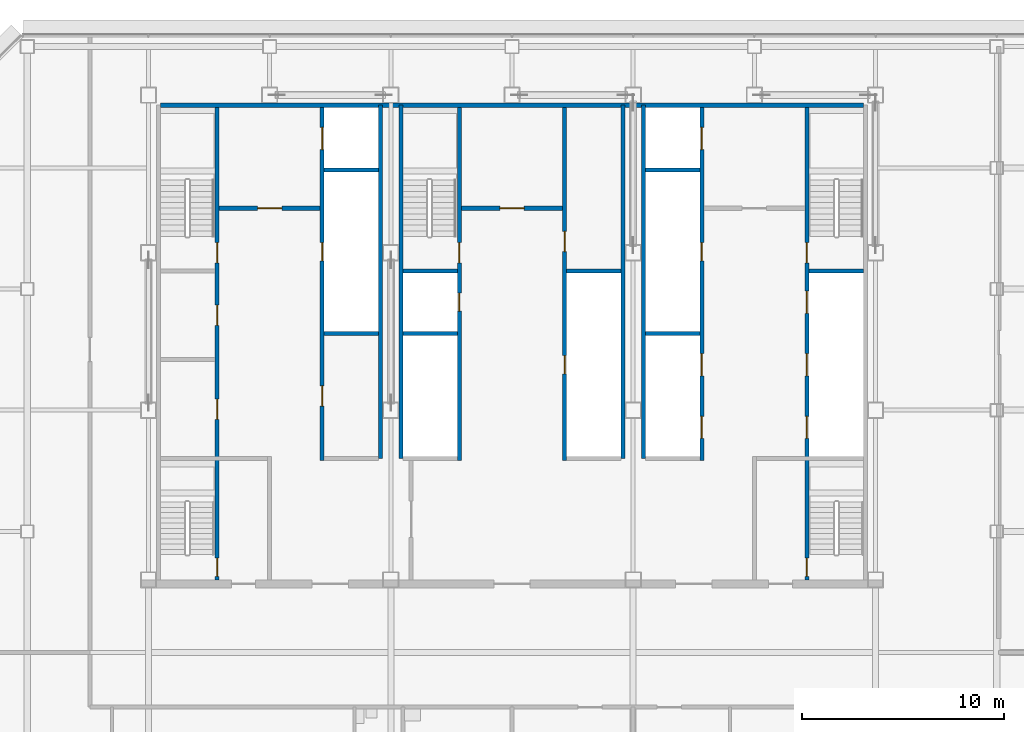
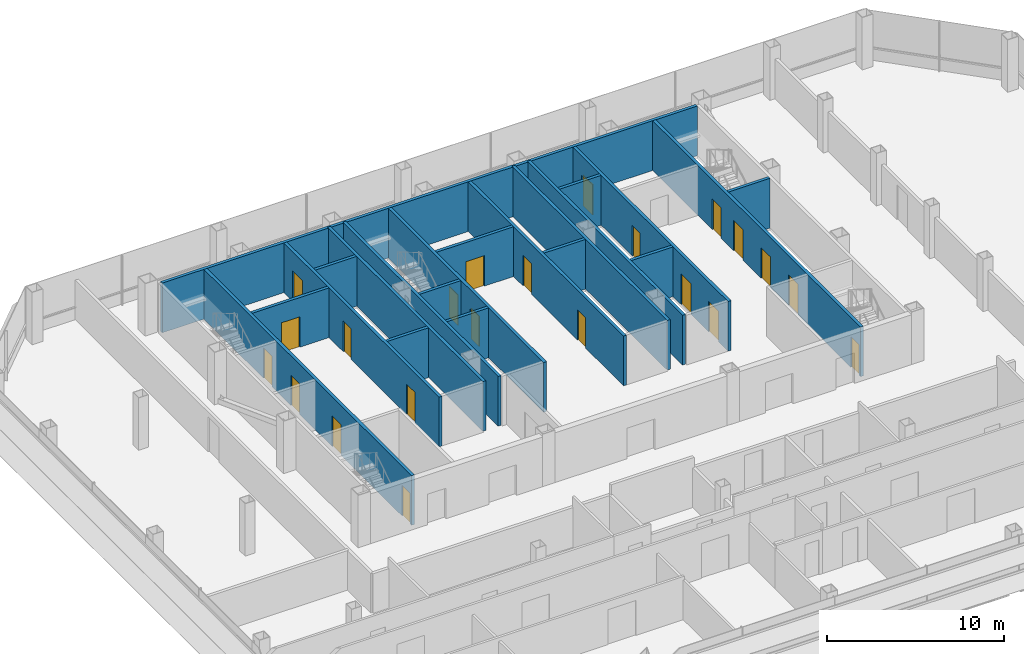
# One storey, part 21 of 24: 22 doors, 21 walls, 22 openings.
"""IFC4 building model written with IfcOpenShell, lengths in metres."""

from ifc_helpers import new_model, si_unit, direction, frame, frame_2d, origin, place, context, subcontext, project, spatial, rectangle, extrude, material, layer, layer_set, type_object, element, fill, save


model = new_model("IFC4")

# Units and contexts
model_context = context("Model", 3, precision=1e-05, world=origin(), true_north=direction((0.0, 1.0)))
body_context = subcontext(model_context, "Body", "Model", "MODEL_VIEW")
ifc_project = project(units=[si_unit("LENGTHUNIT", "METRE"), si_unit("AREAUNIT", "SQUARE_METRE"), si_unit("VOLUMEUNIT", "CUBIC_METRE"), si_unit("PLANEANGLEUNIT", "RADIAN"), si_unit("MASSUNIT", "GRAM", prefix="KILO")], contexts=[model_context])

# Site, building, storey
site_placement = place(None, origin())
site = spatial("IfcSite", under=ifc_project, at=site_placement, CompositionType="ELEMENT")
building_placement = place(site_placement, origin())
building = spatial("IfcBuilding", under=site, at=building_placement, Name="Sorahane Residences", CompositionType="ELEMENT")
storey_placement = place(building_placement, frame((0.0, 0.0, 170.800048828125)))
storey = spatial("IfcBuildingStorey", under=building, at=storey_placement, Name="L39", CompositionType="ELEMENT", Elevation=170.800048828125)

# Walls
ifc_material_1 = material(Name="Concrete C30", Category="concrete")
ifc_layer_1 = layer(ifc_material_1, 0.199951171875)
ifc_layer_set_1 = layer_set([ifc_layer_1], Name="Core face wall 200 EI 180")
wall_type_1 = type_object("IfcWallType", Name="Core face wall 200 EI 180", PredefinedType="SOLIDWALL", material=ifc_layer_set_1)
wall_1_placement = place(storey_placement, frame((6.60009765625, 45.10009765625, 0.0), z_axis=(0.0, 0.0, 1.0), x_axis=(1.0, 0.0, 0.0)))
element("IfcWall", 1, at=wall_1_placement, inside=storey, type_object=wall_type_1, Name="L39 core face wall", PredefinedType="SOLIDWALL", context=body_context, shape_type="SweptSolid", body=[
    extrude(rectangle(XDim=34.7998046875, YDim=0.199951171875, at=frame_2d((17.39990234375, 0.0))), origin(), (0.0, 0.0, 1.0), 3.419921875),
])
for number, where, z_axis, x_axis, name in (
    (2, (17.5, 27.60009765625, 0.0), (0.0, 0.0, 1.0), (0.0, 1.0, 0.0), "L39 core face wall"),
    (3, (18.5, 27.60009765625, 0.0), (0.0, 0.0, 1.0), (0.0, 1.0, 0.0), "L39 core face wall"),
    (4, (29.5, 27.60009765625, 0.0), (0.0, 0.0, 1.0), (0.0, 1.0, 0.0), "L39 core face wall"),
    (5, (30.5, 27.60009765625, 0.0), (0.0, 0.0, 1.0), (0.0, 1.0, 0.0), "L39 core face wall"),
):
    element("IfcWall", number, at=place(storey_placement, frame(where, z_axis=z_axis, x_axis=x_axis)), inside=storey, type_object=wall_type_1, Name=name, PredefinedType="SOLIDWALL", context=body_context, shape_type="SweptSolid", body=[
        extrude(rectangle(XDim=17.5, YDim=0.199951171875, at=frame_2d((8.75, 0.0))), origin(), (0.0, 0.0, 1.0), 3.419921875),
    ])

# Wall, opening, door
ifc_material_2 = material(Name="Concrete C30", Category="concrete")
ifc_layer_2 = layer(ifc_material_2, 0.199951171875)
ifc_layer_set_2 = layer_set([ifc_layer_2], Name="Front room wall 200 EI 120")
wall_type_2 = type_object("IfcWallType", Name="Front room wall 200 EI 120", PredefinedType="PARTITIONING", material=ifc_layer_set_2)
wall_2_placement = place(storey_placement, frame((21.5, 40.0, 0.0), z_axis=(0.0, 0.0, 1.0), x_axis=(1.0, 0.0, 0.0)))
wall_2 = element("IfcWall", 6, at=wall_2_placement, inside=storey, type_object=wall_type_2, Name="L39 front room wall", PredefinedType="PARTITIONING", context=body_context, shape_type="SweptSolid", body=[
    extrude(rectangle(XDim=5.0, YDim=0.199951171875, at=frame_2d((2.5, 0.0))), origin(), (0.0, 0.0, 1.0), 3.419921875),
])
opening_1_placement = place(wall_2_placement, frame((1.89990234375, 0.0, 0.0)))
opening_1 = element("IfcOpeningElement", 7, at=opening_1_placement, cuts=wall_2, Name="Opening L39-C08", PredefinedType="OPENING", context=body_context, shape_type="SweptSolid", body=[
    extrude(rectangle(XDim=1.199951171875, YDim=2.10009765625, at=frame_2d((0.60009765625, 1.050048828125))), frame((0.0, 0.10986328125, 0.0), z_axis=(0.0, -1.0, 0.0), x_axis=(1.0, 0.0, 0.0)), (0.0, 0.0, 1.0), 0.219970703125),
])
ifc_material_3 = material(Name="Steel", Category="steel")
door_type_1 = type_object("IfcDoorType", Name="Front room door 1200x2100 FD120", OperationType="NOTDEFINED", PredefinedType="DOOR", material=ifc_material_3)
door_1_placement = place(opening_1_placement, frame((1.199951171875, 0.0, 0.0), z_axis=(0.0, 0.0, 1.0), x_axis=(-1.0, 0.0, 0.0)))
door_1 = element("IfcDoor", 8, at=door_1_placement, inside=storey, type_object=door_type_1, Name="Front room door Stair S3 vestibule L39", OperationType="DOUBLE_DOOR_SINGLE_SWING", OverallHeight=2.10009765625, OverallWidth=1.199951171875, PredefinedType="DOOR", context=body_context, shape_type="SweptSolid", body=[
    extrude(rectangle(XDim=1.199951171875, YDim=2.10009765625, at=frame_2d((0.60009765625, 1.050048828125))), frame((0.0, 0.02490234375, 0.0), z_axis=(0.0, -1.0, 0.0), x_axis=(1.0, 0.0, 0.0)), (0.0, 0.0, 1.0), 0.050048828125),
])
fill(opening_1, door_1)

wall_3_placement = place(storey_placement, frame((9.5, 40.0, 0.0), z_axis=(0.0, 0.0, 1.0), x_axis=(1.0, 0.0, 0.0)))
wall_3 = element("IfcWall", 9, at=wall_3_placement, inside=storey, type_object=wall_type_2, Name="L39 front room wall", PredefinedType="PARTITIONING", context=body_context, shape_type="SweptSolid", body=[
    extrude(rectangle(XDim=5.0, YDim=0.199951171875, at=frame_2d((2.5, 0.0))), origin(), (0.0, 0.0, 1.0), 3.419921875),
])
opening_2_placement = place(wall_3_placement, frame((1.89990234375, 0.0, 0.0)))
opening_2 = element("IfcOpeningElement", 10, at=opening_2_placement, cuts=wall_3, Name="Opening L39-C07", PredefinedType="OPENING", context=body_context, shape_type="SweptSolid", body=[
    extrude(rectangle(XDim=1.199951171875, YDim=2.10009765625, at=frame_2d((0.60009765625, 1.050048828125))), frame((0.0, 0.10986328125, 0.0), z_axis=(0.0, -1.0, 0.0), x_axis=(1.0, 0.0, 0.0)), (0.0, 0.0, 1.0), 0.219970703125),
])
door_2_placement = place(opening_2_placement, frame((1.199951171875, 0.0, 0.0), z_axis=(0.0, 0.0, 1.0), x_axis=(-1.0, 0.0, 0.0)))
door_2 = element("IfcDoor", 11, at=door_2_placement, inside=storey, type_object=door_type_1, Name="Front room door Firefighting lobby FF1 front room L39", OperationType="DOUBLE_DOOR_SINGLE_SWING", OverallHeight=2.10009765625, OverallWidth=1.199951171875, PredefinedType="DOOR", context=body_context, shape_type="SweptSolid", body=[
    extrude(rectangle(XDim=1.199951171875, YDim=2.10009765625, at=frame_2d((0.60009765625, 1.050048828125))), frame((0.0, 0.02490234375, 0.0), z_axis=(0.0, -1.0, 0.0), x_axis=(1.0, 0.0, 0.0)), (0.0, 0.0, 1.0), 0.050048828125),
])
fill(opening_2, door_2)

# Wall, openings, doors
ifc_material_4 = material(Name="Concrete C30", Category="concrete")
ifc_layer_3 = layer(ifc_material_4, 0.199951171875)
ifc_layer_set_3 = layer_set([ifc_layer_3], Name="Lift shaft wall 200 EI 120")
wall_type_3 = type_object("IfcWallType", Name="Lift shaft wall 200 EI 120", PredefinedType="SOLIDWALL", material=ifc_layer_set_3)
wall_4_placement = place(storey_placement, frame((14.60009765625, 27.5, 0.0), z_axis=(0.0, 0.0, 1.0), x_axis=(0.0, 1.0, 0.0)))
wall_4 = element("IfcWall", 12, at=wall_4_placement, inside=storey, type_object=wall_type_3, Name="L39 lift shaft wall", PredefinedType="SOLIDWALL", context=body_context, shape_type="SweptSolid", body=[
    extrude(rectangle(XDim=17.5, YDim=0.199951171875, at=frame_2d((8.75, 0.0))), origin(), (0.0, 0.0, 1.0), 3.419921875),
])
opening_3_placement = place(wall_4_placement, frame((15.39990234375, 0.0, 0.0)))
opening_3 = element("IfcOpeningElement", 13, at=opening_3_placement, cuts=wall_4, Name="Opening L39-C16", PredefinedType="OPENING", context=body_context, shape_type="SweptSolid", body=[
    extrude(rectangle(XDim=1.10009765625, YDim=2.10009765625, at=frame_2d((0.550048828125, 1.050048828125))), frame((0.0, 0.10986328125, 0.0), z_axis=(0.0, -1.0, 0.0), x_axis=(1.0, 0.0, 0.0)), (0.0, 0.0, 1.0), 0.219970703125),
])
opening_4_placement = place(wall_4_placement, frame((2.699951171875, 0.0, 0.0)))
opening_4 = element("IfcOpeningElement", 14, at=opening_4_placement, cuts=wall_4, Name="Opening L39-C17", PredefinedType="OPENING", context=body_context, shape_type="SweptSolid", body=[
    extrude(rectangle(XDim=1.0, YDim=2.10009765625, at=frame_2d((0.5, 1.050048828125))), frame((0.0, 0.10986328125, 0.0), z_axis=(0.0, -1.0, 0.0), x_axis=(1.0, 0.0, 0.0)), (0.0, 0.0, 1.0), 0.219970703125),
])
opening_5_placement = place(wall_4_placement, frame((9.89990234375, 0.0, 0.0)))
opening_5 = element("IfcOpeningElement", 15, at=opening_5_placement, cuts=wall_4, Name="Opening L39-C25", PredefinedType="OPENING", context=body_context, shape_type="SweptSolid", body=[
    extrude(rectangle(XDim=0.89990234375, YDim=2.10009765625, at=frame_2d((0.449951171875, 1.050048828125))), frame((0.0, 0.10986328125, 0.0), z_axis=(0.0, -1.0, 0.0), x_axis=(1.0, 0.0, 0.0)), (0.0, 0.0, 1.0), 0.219970703125),
])
ifc_material_5 = material(Name="Aluminium and stainless steel", Category="steel")
door_type_2 = type_object("IfcDoorType", Name="Lift landing door 1100x2100 E 60", OperationType="NOTDEFINED", PredefinedType="DOOR", material=ifc_material_5)
door_3_placement = place(opening_3_placement, origin())
door_3 = element("IfcDoor", 16, at=door_3_placement, inside=storey, type_object=door_type_2, Name="Lift landing door FF1 L39", OperationType="DOUBLE_DOOR_SLIDING", OverallHeight=2.10009765625, OverallWidth=1.10009765625, PredefinedType="DOOR", context=body_context, shape_type="SweptSolid", body=[
    extrude(rectangle(XDim=1.10009765625, YDim=2.10009765625, at=frame_2d((0.550048828125, 1.050048828125))), frame((0.0, 0.02490234375, 0.0), z_axis=(0.0, -1.0, 0.0), x_axis=(1.0, 0.0, 0.0)), (0.0, 0.0, 1.0), 0.050048828125),
])
fill(opening_3, door_3)
ifc_material_6 = material(Name="Steel", Category="steel")
door_type_3 = type_object("IfcDoorType", Name="Riser door 900x2100 FD120", OperationType="NOTDEFINED", PredefinedType="DOOR", material=ifc_material_6)
door_4_placement = place(opening_5_placement, origin())
door_4 = element("IfcDoor", 17, at=door_4_placement, inside=storey, type_object=door_type_3, Name="Riser door R1 L39", OperationType="SINGLE_SWING_LEFT", OverallHeight=2.10009765625, OverallWidth=0.89990234375, PredefinedType="DOOR", context=body_context, shape_type="SweptSolid", body=[
    extrude(rectangle(XDim=0.89990234375, YDim=2.10009765625, at=frame_2d((0.449951171875, 1.050048828125))), frame((0.0, 0.02490234375, 0.0), z_axis=(0.0, -1.0, 0.0), x_axis=(1.0, 0.0, 0.0)), (0.0, 0.0, 1.0), 0.050048828125),
])
fill(opening_5, door_4)
ifc_material_7 = material(Name="Steel", Category="steel")
door_type_4 = type_object("IfcDoorType", Name="Service room door 1000x2100 FD60", OperationType="NOTDEFINED", PredefinedType="DOOR", material=ifc_material_7)
door_5_placement = place(opening_4_placement, frame((1.0, 0.0, 0.0), z_axis=(0.0, 0.0, 1.0), x_axis=(-1.0, 0.0, 0.0)))
door_5 = element("IfcDoor", 18, at=door_5_placement, inside=storey, type_object=door_type_4, Name="Service room door Lounge L39", OperationType="SINGLE_SWING_RIGHT", OverallHeight=2.10009765625, OverallWidth=1.0, PredefinedType="DOOR", context=body_context, shape_type="SweptSolid", body=[
    extrude(rectangle(XDim=1.0, YDim=2.10009765625, at=frame_2d((0.5, 1.050048828125))), frame((0.0, 0.02490234375, 0.0), z_axis=(0.0, -1.0, 0.0), x_axis=(1.0, 0.0, 0.0)), (0.0, 0.0, 1.0), 0.050048828125),
])
fill(opening_4, door_5)

wall_5_placement = place(storey_placement, frame((33.39990234375, 27.5, 0.0), z_axis=(0.0, 0.0, 1.0), x_axis=(0.0, 1.0, 0.0)))
wall_5 = element("IfcWall", 19, at=wall_5_placement, inside=storey, type_object=wall_type_3, Name="L39 lift shaft wall", PredefinedType="SOLIDWALL", context=body_context, shape_type="SweptSolid", body=[
    extrude(rectangle(XDim=17.5, YDim=0.199951171875, at=frame_2d((8.75, 0.0))), origin(), (0.0, 0.0, 1.0), 3.419921875),
])
opening_6_placement = place(wall_5_placement, frame((1.10009765625, 0.0, 0.0)))
opening_6 = element("IfcOpeningElement", 20, at=opening_6_placement, cuts=wall_5, Name="Opening L39-C13", PredefinedType="OPENING", context=body_context, shape_type="SweptSolid", body=[
    extrude(rectangle(XDim=1.10009765625, YDim=2.10009765625, at=frame_2d((0.550048828125, 1.050048828125))), frame((0.0, 0.10986328125, 0.0), z_axis=(0.0, -1.0, 0.0), x_axis=(1.0, 0.0, 0.0)), (0.0, 0.0, 1.0), 0.219970703125),
])
opening_7_placement = place(wall_5_placement, frame((4.199951171875, 0.0, 0.0)))
opening_7 = element("IfcOpeningElement", 21, at=opening_7_placement, cuts=wall_5, Name="Opening L39-C14", PredefinedType="OPENING", context=body_context, shape_type="SweptSolid", body=[
    extrude(rectangle(XDim=1.10009765625, YDim=2.10009765625, at=frame_2d((0.550048828125, 1.050048828125))), frame((0.0, 0.10986328125, 0.0), z_axis=(0.0, -1.0, 0.0), x_axis=(1.0, 0.0, 0.0)), (0.0, 0.0, 1.0), 0.219970703125),
])
opening_8_placement = place(wall_5_placement, frame((15.39990234375, 0.0, 0.0)))
opening_8 = element("IfcOpeningElement", 22, at=opening_8_placement, cuts=wall_5, Name="Opening L39-C15", PredefinedType="OPENING", context=body_context, shape_type="SweptSolid", body=[
    extrude(rectangle(XDim=1.10009765625, YDim=2.10009765625, at=frame_2d((0.550048828125, 1.050048828125))), frame((0.0, 0.10986328125, 0.0), z_axis=(0.0, -1.0, 0.0), x_axis=(1.0, 0.0, 0.0)), (0.0, 0.0, 1.0), 0.219970703125),
])
opening_9_placement = place(wall_5_placement, frame((9.89990234375, 0.0, 0.0)))
opening_9 = element("IfcOpeningElement", 23, at=opening_9_placement, cuts=wall_5, Name="Opening L39-C26", PredefinedType="OPENING", context=body_context, shape_type="SweptSolid", body=[
    extrude(rectangle(XDim=0.89990234375, YDim=2.10009765625, at=frame_2d((0.449951171875, 1.050048828125))), frame((0.0, 0.10986328125, 0.0), z_axis=(0.0, -1.0, 0.0), x_axis=(1.0, 0.0, 0.0)), (0.0, 0.0, 1.0), 0.219970703125),
])
door_6_placement = place(opening_6_placement, origin())
door_6 = element("IfcDoor", 24, at=door_6_placement, inside=storey, type_object=door_type_2, Name="Lift landing door HR4 L39", OperationType="DOUBLE_DOOR_SLIDING", OverallHeight=2.10009765625, OverallWidth=1.10009765625, PredefinedType="DOOR", context=body_context, shape_type="SweptSolid", body=[
    extrude(rectangle(XDim=1.10009765625, YDim=2.10009765625, at=frame_2d((0.550048828125, 1.050048828125))), frame((0.0, 0.02490234375, 0.0), z_axis=(0.0, -1.0, 0.0), x_axis=(1.0, 0.0, 0.0)), (0.0, 0.0, 1.0), 0.050048828125),
])
fill(opening_6, door_6)
door_7_placement = place(opening_7_placement, origin())
door_7 = element("IfcDoor", 25, at=door_7_placement, inside=storey, type_object=door_type_2, Name="Lift landing door HR5 L39", OperationType="DOUBLE_DOOR_SLIDING", OverallHeight=2.10009765625, OverallWidth=1.10009765625, PredefinedType="DOOR", context=body_context, shape_type="SweptSolid", body=[
    extrude(rectangle(XDim=1.10009765625, YDim=2.10009765625, at=frame_2d((0.550048828125, 1.050048828125))), frame((0.0, 0.02490234375, 0.0), z_axis=(0.0, -1.0, 0.0), x_axis=(1.0, 0.0, 0.0)), (0.0, 0.0, 1.0), 0.050048828125),
])
fill(opening_7, door_7)
door_8_placement = place(opening_8_placement, origin())
door_8 = element("IfcDoor", 26, at=door_8_placement, inside=storey, type_object=door_type_2, Name="Lift landing door FF2 L39", OperationType="DOUBLE_DOOR_SLIDING", OverallHeight=2.10009765625, OverallWidth=1.10009765625, PredefinedType="DOOR", context=body_context, shape_type="SweptSolid", body=[
    extrude(rectangle(XDim=1.10009765625, YDim=2.10009765625, at=frame_2d((0.550048828125, 1.050048828125))), frame((0.0, 0.02490234375, 0.0), z_axis=(0.0, -1.0, 0.0), x_axis=(1.0, 0.0, 0.0)), (0.0, 0.0, 1.0), 0.050048828125),
])
fill(opening_8, door_8)
door_9_placement = place(opening_9_placement, frame((0.89990234375, 0.0, 0.0), z_axis=(0.0, 0.0, 1.0), x_axis=(-1.0, 0.0, 0.0)))
door_9 = element("IfcDoor", 27, at=door_9_placement, inside=storey, type_object=door_type_3, Name="Riser door R2 L39", OperationType="SINGLE_SWING_LEFT", OverallHeight=2.10009765625, OverallWidth=0.89990234375, PredefinedType="DOOR", context=body_context, shape_type="SweptSolid", body=[
    extrude(rectangle(XDim=0.89990234375, YDim=2.10009765625, at=frame_2d((0.449951171875, 1.050048828125))), frame((0.0, 0.02490234375, 0.0), z_axis=(0.0, -1.0, 0.0), x_axis=(1.0, 0.0, 0.0)), (0.0, 0.0, 1.0), 0.050048828125),
])
fill(opening_9, door_9)

# Walls
for number, where, z_axis, x_axis, name in (
    (28, (18.60009765625, 33.800048828125, 0.0), (0.0, 0.0, 1.0), (1.0, 0.0, 0.0), "L39 lift shaft wall"),
    (29, (30.60009765625, 33.800048828125, 0.0), (0.0, 0.0, 1.0), (1.0, 0.0, 0.0), "L39 lift shaft wall"),
    (30, (14.699951171875, 41.89990234375, 0.0), (0.0, 0.0, 1.0), (1.0, 0.0, 0.0), "L39 lift shaft wall"),
    (31, (30.60009765625, 41.89990234375, 0.0), (0.0, 0.0, 1.0), (1.0, 0.0, 0.0), "L39 lift shaft wall"),
):
    element("IfcWall", number, at=place(storey_placement, frame(where, z_axis=z_axis, x_axis=x_axis)), inside=storey, type_object=wall_type_3, Name=name, PredefinedType="SOLIDWALL", context=body_context, shape_type="SweptSolid", body=[
        extrude(rectangle(XDim=2.699951171875, YDim=0.199951171875, at=frame_2d((1.35009765625, 0.0))), origin(), (0.0, 0.0, 1.0), 3.419921875),
    ])

# Wall, openings, doors
ifc_material_8 = material(Name="Concrete C30", Category="concrete")
ifc_layer_4 = layer(ifc_material_8, 0.199951171875)
ifc_layer_set_4 = layer_set([ifc_layer_4], Name="Riser shaft wall 200 EI 120")
wall_type_4 = type_object("IfcWallType", Name="Riser shaft wall 200 EI 120", PredefinedType="SOLIDWALL", material=ifc_layer_set_4)
wall_6_placement = place(storey_placement, frame((26.60009765625, 27.5, 0.0), z_axis=(0.0, 0.0, 1.0), x_axis=(0.0, 1.0, 0.0)))
wall_6 = element("IfcWall", 32, at=wall_6_placement, inside=storey, type_object=wall_type_4, Name="L39 riser wall", PredefinedType="SOLIDWALL", context=body_context, shape_type="SweptSolid", body=[
    extrude(rectangle(XDim=17.5, YDim=0.199951171875, at=frame_2d((8.75, 0.0))), origin(), (0.0, 0.0, 1.0), 3.419921875),
])
opening_10_placement = place(wall_6_placement, frame((4.300048828125, 0.0, 0.0)))
opening_10 = element("IfcOpeningElement", 33, at=opening_10_placement, cuts=wall_6, Name="Opening L39-C28", PredefinedType="OPENING", context=body_context, shape_type="SweptSolid", body=[
    extrude(rectangle(XDim=0.89990234375, YDim=2.10009765625, at=frame_2d((0.449951171875, 1.050048828125))), frame((0.0, 0.10986328125, 0.0), z_axis=(0.0, -1.0, 0.0), x_axis=(1.0, 0.0, 0.0)), (0.0, 0.0, 1.0), 0.219970703125),
])
opening_11_placement = place(wall_6_placement, frame((10.35009765625, 0.0, 0.0)))
opening_11 = element("IfcOpeningElement", 34, at=opening_11_placement, cuts=wall_6, Name="Opening L39-C29", PredefinedType="OPENING", context=body_context, shape_type="SweptSolid", body=[
    extrude(rectangle(XDim=1.0, YDim=2.10009765625, at=frame_2d((0.5, 1.050048828125))), frame((0.0, 0.10986328125, 0.0), z_axis=(0.0, -1.0, 0.0), x_axis=(1.0, 0.0, 0.0)), (0.0, 0.0, 1.0), 0.219970703125),
])
door_10_placement = place(opening_10_placement, origin())
door_10 = element("IfcDoor", 35, at=door_10_placement, inside=storey, type_object=door_type_3, Name="Riser door R4 L39", OperationType="SINGLE_SWING_LEFT", OverallHeight=2.10009765625, OverallWidth=0.89990234375, PredefinedType="DOOR", context=body_context, shape_type="SweptSolid", body=[
    extrude(rectangle(XDim=0.89990234375, YDim=2.10009765625, at=frame_2d((0.449951171875, 1.050048828125))), frame((0.0, 0.02490234375, 0.0), z_axis=(0.0, -1.0, 0.0), x_axis=(1.0, 0.0, 0.0)), (0.0, 0.0, 1.0), 0.050048828125),
])
fill(opening_10, door_10)
door_11_placement = place(opening_11_placement, frame((1.0, 0.0, 0.0), z_axis=(0.0, 0.0, 1.0), x_axis=(-1.0, 0.0, 0.0)))
door_11 = element("IfcDoor", 36, at=door_11_placement, inside=storey, type_object=door_type_4, Name="Service room door Housekeeping store L39", OperationType="SINGLE_SWING_LEFT", OverallHeight=2.10009765625, OverallWidth=1.0, PredefinedType="DOOR", context=body_context, shape_type="SweptSolid", body=[
    extrude(rectangle(XDim=1.0, YDim=2.10009765625, at=frame_2d((0.5, 1.050048828125))), frame((0.0, 0.02490234375, 0.0), z_axis=(0.0, -1.0, 0.0), x_axis=(1.0, 0.0, 0.0)), (0.0, 0.0, 1.0), 0.050048828125),
])
fill(opening_11, door_11)

# Walls
for number, where, z_axis, x_axis, name in (
    (37, (14.699951171875, 33.800048828125, 0.0), (0.0, 0.0, 1.0), (1.0, 0.0, 0.0), "L39 riser wall"),
    (38, (26.699951171875, 36.89990234375, 0.0), (0.0, 0.0, 1.0), (1.0, 0.0, 0.0), "L39 riser wall"),
):
    element("IfcWall", number, at=place(storey_placement, frame(where, z_axis=z_axis, x_axis=x_axis)), inside=storey, type_object=wall_type_4, Name=name, PredefinedType="SOLIDWALL", context=body_context, shape_type="SweptSolid", body=[
        extrude(rectangle(XDim=2.699951171875, YDim=0.199951171875, at=frame_2d((1.35009765625, 0.0))), origin(), (0.0, 0.0, 1.0), 3.419921875),
    ])

# Wall, openings, doors
ifc_material_9 = material(Name="Concrete C30", Category="concrete")
ifc_layer_5 = layer(ifc_material_9, 0.199951171875)
ifc_layer_set_5 = layer_set([ifc_layer_5], Name="Stair enclosure wall 200 EI 120")
wall_type_5 = type_object("IfcWallType", Name="Stair enclosure wall 200 EI 120", PredefinedType="SOLIDWALL", material=ifc_layer_set_5)
wall_7_placement = place(storey_placement, frame((21.39990234375, 27.5, 0.0), z_axis=(0.0, 0.0, 1.0), x_axis=(0.0, 1.0, 0.0)))
wall_7 = element("IfcWall", 39, at=wall_7_placement, inside=storey, type_object=wall_type_5, Name="L39 stair enclosure wall", PredefinedType="SOLIDWALL", context=body_context, shape_type="SweptSolid", body=[
    extrude(rectangle(XDim=17.5, YDim=0.199951171875, at=frame_2d((8.75, 0.0))), origin(), (0.0, 0.0, 1.0), 3.419921875),
])
opening_12_placement = place(wall_7_placement, frame((9.800048828125, 0.0, 0.0)))
opening_12 = element("IfcOpeningElement", 40, at=opening_12_placement, cuts=wall_7, Name="Opening L39-C22", PredefinedType="OPENING", context=body_context, shape_type="SweptSolid", body=[
    extrude(rectangle(XDim=1.0, YDim=2.10009765625, at=frame_2d((0.5, 1.050048828125))), frame((0.0, 0.10986328125, 0.0), z_axis=(0.0, -1.0, 0.0), x_axis=(1.0, 0.0, 0.0)), (0.0, 0.0, 1.0), 0.219970703125),
])
opening_13_placement = place(wall_7_placement, frame((7.39990234375, 0.0, 0.0)))
opening_13 = element("IfcOpeningElement", 41, at=opening_13_placement, cuts=wall_7, Name="Opening L39-C27", PredefinedType="OPENING", context=body_context, shape_type="SweptSolid", body=[
    extrude(rectangle(XDim=0.89990234375, YDim=2.10009765625, at=frame_2d((0.449951171875, 1.050048828125))), frame((0.0, 0.10986328125, 0.0), z_axis=(0.0, -1.0, 0.0), x_axis=(1.0, 0.0, 0.0)), (0.0, 0.0, 1.0), 0.219970703125),
])
door_12_placement = place(opening_13_placement, frame((0.89990234375, 0.0, 0.0), z_axis=(0.0, 0.0, 1.0), x_axis=(-1.0, 0.0, 0.0)))
door_12 = element("IfcDoor", 42, at=door_12_placement, inside=storey, type_object=door_type_3, Name="Riser door R3 L39", OperationType="SINGLE_SWING_LEFT", OverallHeight=2.10009765625, OverallWidth=0.89990234375, PredefinedType="DOOR", context=body_context, shape_type="SweptSolid", body=[
    extrude(rectangle(XDim=0.89990234375, YDim=2.10009765625, at=frame_2d((0.449951171875, 1.050048828125))), frame((0.0, 0.02490234375, 0.0), z_axis=(0.0, -1.0, 0.0), x_axis=(1.0, 0.0, 0.0)), (0.0, 0.0, 1.0), 0.050048828125),
])
fill(opening_13, door_12)
ifc_material_10 = material(Name="Steel", Category="steel")
door_type_5 = type_object("IfcDoorType", Name="Stair door 1000x2100 FD120", OperationType="NOTDEFINED", PredefinedType="DOOR", material=ifc_material_10)
door_13_placement = place(opening_12_placement, origin())
door_13 = element("IfcDoor", 43, at=door_13_placement, inside=storey, type_object=door_type_5, Name="Stair door S3 L39", OperationType="SINGLE_SWING_LEFT", OverallHeight=2.10009765625, OverallWidth=1.0, PredefinedType="DOOR", context=body_context, shape_type="SweptSolid", body=[
    extrude(rectangle(XDim=1.0, YDim=2.10009765625, at=frame_2d((0.5, 1.050048828125))), frame((0.0, 0.02490234375, 0.0), z_axis=(0.0, -1.0, 0.0), x_axis=(1.0, 0.0, 0.0)), (0.0, 0.0, 1.0), 0.050048828125),
])
fill(opening_12, door_13)

wall_8_placement = place(storey_placement, frame((38.60009765625, 21.60009765625, 0.0), z_axis=(0.0, 0.0, 1.0), x_axis=(0.0, 1.0, 0.0)))
wall_8 = element("IfcWall", 44, at=wall_8_placement, inside=storey, type_object=wall_type_5, Name="L39 stair enclosure wall", PredefinedType="SOLIDWALL", context=body_context, shape_type="SweptSolid", body=[
    extrude(rectangle(XDim=23.39990234375, YDim=0.199951171875, at=frame_2d((11.699951171875, 0.0))), origin(), (0.0, 0.0, 1.0), 3.419921875),
])
opening_14_placement = place(wall_8_placement, frame((7.0, 0.0, 0.0)))
opening_14 = element("IfcOpeningElement", 45, at=opening_14_placement, cuts=wall_8, Name="Opening L39-C10", PredefinedType="OPENING", context=body_context, shape_type="SweptSolid", body=[
    extrude(rectangle(XDim=1.10009765625, YDim=2.10009765625, at=frame_2d((0.550048828125, 1.050048828125))), frame((0.0, 0.10986328125, 0.0), z_axis=(0.0, -1.0, 0.0), x_axis=(1.0, 0.0, 0.0)), (0.0, 0.0, 1.0), 0.219970703125),
])
opening_15_placement = place(wall_8_placement, frame((10.10009765625, 0.0, 0.0)))
opening_15 = element("IfcOpeningElement", 46, at=opening_15_placement, cuts=wall_8, Name="Opening L39-C11", PredefinedType="OPENING", context=body_context, shape_type="SweptSolid", body=[
    extrude(rectangle(XDim=1.10009765625, YDim=2.10009765625, at=frame_2d((0.550048828125, 1.050048828125))), frame((0.0, 0.10986328125, 0.0), z_axis=(0.0, -1.0, 0.0), x_axis=(1.0, 0.0, 0.0)), (0.0, 0.0, 1.0), 0.219970703125),
])
opening_16_placement = place(wall_8_placement, frame((13.199951171875, 0.0, 0.0)))
opening_16 = element("IfcOpeningElement", 47, at=opening_16_placement, cuts=wall_8, Name="Opening L39-C12", PredefinedType="OPENING", context=body_context, shape_type="SweptSolid", body=[
    extrude(rectangle(XDim=1.10009765625, YDim=2.10009765625, at=frame_2d((0.550048828125, 1.050048828125))), frame((0.0, 0.10986328125, 0.0), z_axis=(0.0, -1.0, 0.0), x_axis=(1.0, 0.0, 0.0)), (0.0, 0.0, 1.0), 0.219970703125),
])
opening_17_placement = place(wall_8_placement, frame((15.699951171875, 0.0, 0.0)))
opening_17 = element("IfcOpeningElement", 48, at=opening_17_placement, cuts=wall_8, Name="Opening L39-C21", PredefinedType="OPENING", context=body_context, shape_type="SweptSolid", body=[
    extrude(rectangle(XDim=1.0, YDim=2.10009765625, at=frame_2d((0.5, 1.050048828125))), frame((0.0, 0.10986328125, 0.0), z_axis=(0.0, -1.0, 0.0), x_axis=(1.0, 0.0, 0.0)), (0.0, 0.0, 1.0), 0.219970703125),
])
opening_18_placement = place(wall_8_placement, frame((0.175048828125, 0.0, 0.0)))
opening_18 = element("IfcOpeningElement", 49, at=opening_18_placement, cuts=wall_8, Name="Opening L39-C24", PredefinedType="OPENING", context=body_context, shape_type="SweptSolid", body=[
    extrude(rectangle(XDim=0.89990234375, YDim=2.10009765625, at=frame_2d((0.449951171875, 1.050048828125))), frame((0.0, 0.10986328125, 0.0), z_axis=(0.0, -1.0, 0.0), x_axis=(1.0, 0.0, 0.0)), (0.0, 0.0, 1.0), 0.219970703125),
])
door_14_placement = place(opening_14_placement, origin())
door_14 = element("IfcDoor", 50, at=door_14_placement, inside=storey, type_object=door_type_2, Name="Lift landing door HR1 L39", OperationType="DOUBLE_DOOR_SLIDING", OverallHeight=2.10009765625, OverallWidth=1.10009765625, PredefinedType="DOOR", context=body_context, shape_type="SweptSolid", body=[
    extrude(rectangle(XDim=1.10009765625, YDim=2.10009765625, at=frame_2d((0.550048828125, 1.050048828125))), frame((0.0, 0.02490234375, 0.0), z_axis=(0.0, -1.0, 0.0), x_axis=(1.0, 0.0, 0.0)), (0.0, 0.0, 1.0), 0.050048828125),
])
fill(opening_14, door_14)
door_15_placement = place(opening_15_placement, origin())
door_15 = element("IfcDoor", 51, at=door_15_placement, inside=storey, type_object=door_type_2, Name="Lift landing door HR2 L39", OperationType="DOUBLE_DOOR_SLIDING", OverallHeight=2.10009765625, OverallWidth=1.10009765625, PredefinedType="DOOR", context=body_context, shape_type="SweptSolid", body=[
    extrude(rectangle(XDim=1.10009765625, YDim=2.10009765625, at=frame_2d((0.550048828125, 1.050048828125))), frame((0.0, 0.02490234375, 0.0), z_axis=(0.0, -1.0, 0.0), x_axis=(1.0, 0.0, 0.0)), (0.0, 0.0, 1.0), 0.050048828125),
])
fill(opening_15, door_15)
door_16_placement = place(opening_16_placement, origin())
door_16 = element("IfcDoor", 52, at=door_16_placement, inside=storey, type_object=door_type_2, Name="Lift landing door HR3 L39", OperationType="DOUBLE_DOOR_SLIDING", OverallHeight=2.10009765625, OverallWidth=1.10009765625, PredefinedType="DOOR", context=body_context, shape_type="SweptSolid", body=[
    extrude(rectangle(XDim=1.10009765625, YDim=2.10009765625, at=frame_2d((0.550048828125, 1.050048828125))), frame((0.0, 0.02490234375, 0.0), z_axis=(0.0, -1.0, 0.0), x_axis=(1.0, 0.0, 0.0)), (0.0, 0.0, 1.0), 0.050048828125),
])
fill(opening_16, door_16)
door_17_placement = place(opening_17_placement, frame((1.0, 0.0, 0.0), z_axis=(0.0, 0.0, 1.0), x_axis=(-1.0, 0.0, 0.0)))
door_17 = element("IfcDoor", 53, at=door_17_placement, inside=storey, type_object=door_type_5, Name="Stair door S2 L39", OperationType="SINGLE_SWING_LEFT", OverallHeight=2.10009765625, OverallWidth=1.0, PredefinedType="DOOR", context=body_context, shape_type="SweptSolid", body=[
    extrude(rectangle(XDim=1.0, YDim=2.10009765625, at=frame_2d((0.5, 1.050048828125))), frame((0.0, 0.02490234375, 0.0), z_axis=(0.0, -1.0, 0.0), x_axis=(1.0, 0.0, 0.0)), (0.0, 0.0, 1.0), 0.050048828125),
])
fill(opening_17, door_17)
ifc_material_11 = material(Name="Steel", Category="steel")
door_type_6 = type_object("IfcDoorType", Name="Stair door 900x2100 FD120", OperationType="NOTDEFINED", PredefinedType="DOOR", material=ifc_material_11)
door_18_placement = place(opening_18_placement, frame((0.89990234375, 0.0, 0.0), z_axis=(0.0, 0.0, 1.0), x_axis=(-1.0, 0.0, 0.0)))
door_18 = element("IfcDoor", 54, at=door_18_placement, inside=storey, type_object=door_type_6, Name="Stair door S5 L39", OperationType="SINGLE_SWING_LEFT", OverallHeight=2.10009765625, OverallWidth=0.89990234375, PredefinedType="DOOR", context=body_context, shape_type="SweptSolid", body=[
    extrude(rectangle(XDim=0.89990234375, YDim=2.10009765625, at=frame_2d((0.449951171875, 1.050048828125))), frame((0.0, 0.02490234375, 0.0), z_axis=(0.0, -1.0, 0.0), x_axis=(1.0, 0.0, 0.0)), (0.0, 0.0, 1.0), 0.050048828125),
])
fill(opening_18, door_18)

wall_9_placement = place(storey_placement, frame((9.39990234375, 21.60009765625, 0.0), z_axis=(0.0, 0.0, 1.0), x_axis=(0.0, 1.0, 0.0)))
wall_9 = element("IfcWall", 55, at=wall_9_placement, inside=storey, type_object=wall_type_5, Name="L39 stair enclosure wall", PredefinedType="SOLIDWALL", context=body_context, shape_type="SweptSolid", body=[
    extrude(rectangle(XDim=23.39990234375, YDim=0.199951171875, at=frame_2d((11.699951171875, 0.0))), origin(), (0.0, 0.0, 1.0), 3.419921875),
])
opening_19_placement = place(wall_9_placement, frame((7.949951171875, 0.0, 0.0)))
opening_19 = element("IfcOpeningElement", 56, at=opening_19_placement, cuts=wall_9, Name="Opening L39-C18", PredefinedType="OPENING", context=body_context, shape_type="SweptSolid", body=[
    extrude(rectangle(XDim=1.0, YDim=2.10009765625, at=frame_2d((0.5, 1.050048828125))), frame((0.0, 0.10986328125, 0.0), z_axis=(0.0, -1.0, 0.0), x_axis=(1.0, 0.0, 0.0)), (0.0, 0.0, 1.0), 0.219970703125),
])
opening_20_placement = place(wall_9_placement, frame((12.60009765625, 0.0, 0.0)))
opening_20 = element("IfcOpeningElement", 57, at=opening_20_placement, cuts=wall_9, Name="Opening L39-C19", PredefinedType="OPENING", context=body_context, shape_type="SweptSolid", body=[
    extrude(rectangle(XDim=1.0, YDim=2.10009765625, at=frame_2d((0.5, 1.050048828125))), frame((0.0, 0.10986328125, 0.0), z_axis=(0.0, -1.0, 0.0), x_axis=(1.0, 0.0, 0.0)), (0.0, 0.0, 1.0), 0.219970703125),
])
opening_21_placement = place(wall_9_placement, frame((15.699951171875, 0.0, 0.0)))
opening_21 = element("IfcOpeningElement", 58, at=opening_21_placement, cuts=wall_9, Name="Opening L39-C20", PredefinedType="OPENING", context=body_context, shape_type="SweptSolid", body=[
    extrude(rectangle(XDim=1.0, YDim=2.10009765625, at=frame_2d((0.5, 1.050048828125))), frame((0.0, 0.10986328125, 0.0), z_axis=(0.0, -1.0, 0.0), x_axis=(1.0, 0.0, 0.0)), (0.0, 0.0, 1.0), 0.219970703125),
])
opening_22_placement = place(wall_9_placement, frame((0.175048828125, 0.0, 0.0)))
opening_22 = element("IfcOpeningElement", 59, at=opening_22_placement, cuts=wall_9, Name="Opening L39-C23", PredefinedType="OPENING", context=body_context, shape_type="SweptSolid", body=[
    extrude(rectangle(XDim=0.89990234375, YDim=2.10009765625, at=frame_2d((0.449951171875, 1.050048828125))), frame((0.0, 0.10986328125, 0.0), z_axis=(0.0, -1.0, 0.0), x_axis=(1.0, 0.0, 0.0)), (0.0, 0.0, 1.0), 0.219970703125),
])
door_19_placement = place(opening_19_placement, origin())
door_19 = element("IfcDoor", 60, at=door_19_placement, inside=storey, type_object=door_type_4, Name="Service room door Guest suite store L39", OperationType="SINGLE_SWING_LEFT", OverallHeight=2.10009765625, OverallWidth=1.0, PredefinedType="DOOR", context=body_context, shape_type="SweptSolid", body=[
    extrude(rectangle(XDim=1.0, YDim=2.10009765625, at=frame_2d((0.5, 1.050048828125))), frame((0.0, 0.02490234375, 0.0), z_axis=(0.0, -1.0, 0.0), x_axis=(1.0, 0.0, 0.0)), (0.0, 0.0, 1.0), 0.050048828125),
])
fill(opening_19, door_19)
door_20_placement = place(opening_20_placement, origin())
door_20 = element("IfcDoor", 61, at=door_20_placement, inside=storey, type_object=door_type_4, Name="Service room door Linen store L39", OperationType="SINGLE_SWING_RIGHT", OverallHeight=2.10009765625, OverallWidth=1.0, PredefinedType="DOOR", context=body_context, shape_type="SweptSolid", body=[
    extrude(rectangle(XDim=1.0, YDim=2.10009765625, at=frame_2d((0.5, 1.050048828125))), frame((0.0, 0.02490234375, 0.0), z_axis=(0.0, -1.0, 0.0), x_axis=(1.0, 0.0, 0.0)), (0.0, 0.0, 1.0), 0.050048828125),
])
fill(opening_20, door_20)
door_21_placement = place(opening_21_placement, origin())
door_21 = element("IfcDoor", 62, at=door_21_placement, inside=storey, type_object=door_type_5, Name="Stair door S1 L39", OperationType="SINGLE_SWING_LEFT", OverallHeight=2.10009765625, OverallWidth=1.0, PredefinedType="DOOR", context=body_context, shape_type="SweptSolid", body=[
    extrude(rectangle(XDim=1.0, YDim=2.10009765625, at=frame_2d((0.5, 1.050048828125))), frame((0.0, 0.02490234375, 0.0), z_axis=(0.0, -1.0, 0.0), x_axis=(1.0, 0.0, 0.0)), (0.0, 0.0, 1.0), 0.050048828125),
])
fill(opening_21, door_21)
door_22_placement = place(opening_22_placement, origin())
door_22 = element("IfcDoor", 63, at=door_22_placement, inside=storey, type_object=door_type_6, Name="Stair door S4 L39", OperationType="SINGLE_SWING_LEFT", OverallHeight=2.10009765625, OverallWidth=0.89990234375, PredefinedType="DOOR", context=body_context, shape_type="SweptSolid", body=[
    extrude(rectangle(XDim=0.89990234375, YDim=2.10009765625, at=frame_2d((0.449951171875, 1.050048828125))), frame((0.0, 0.02490234375, 0.0), z_axis=(0.0, -1.0, 0.0), x_axis=(1.0, 0.0, 0.0)), (0.0, 0.0, 1.0), 0.050048828125),
])
fill(opening_22, door_22)

# Walls
for number, where, z_axis, x_axis, name in (
    (64, (18.60009765625, 36.89990234375, 0.0), (0.0, 0.0, 1.0), (1.0, 0.0, 0.0), "L39 stair enclosure wall"),
    (65, (38.699951171875, 36.89990234375, 0.0), (0.0, 0.0, 1.0), (1.0, 0.0, 0.0), "L39 stair enclosure wall"),
):
    element("IfcWall", number, at=place(storey_placement, frame(where, z_axis=z_axis, x_axis=x_axis)), inside=storey, type_object=wall_type_5, Name=name, PredefinedType="SOLIDWALL", context=body_context, shape_type="SweptSolid", body=[
        extrude(rectangle(XDim=2.699951171875, YDim=0.199951171875, at=frame_2d((1.35009765625, 0.0))), origin(), (0.0, 0.0, 1.0), 3.419921875),
    ])

save(model, "model.ifc")
